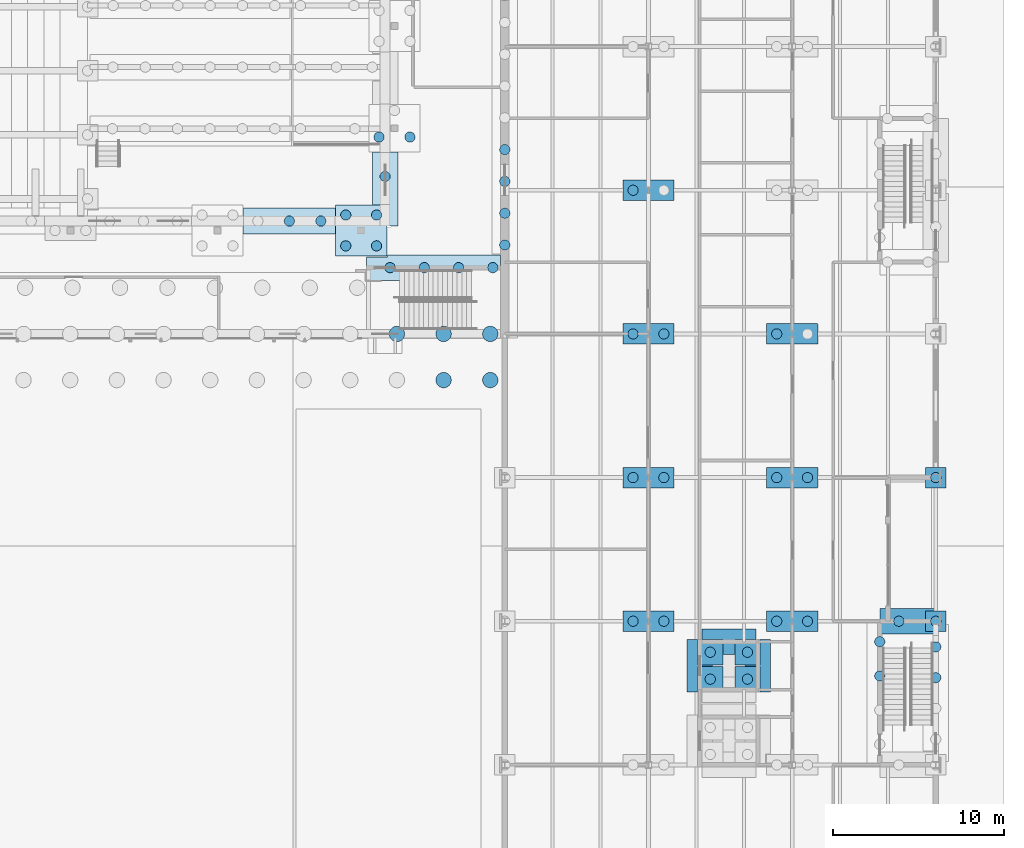
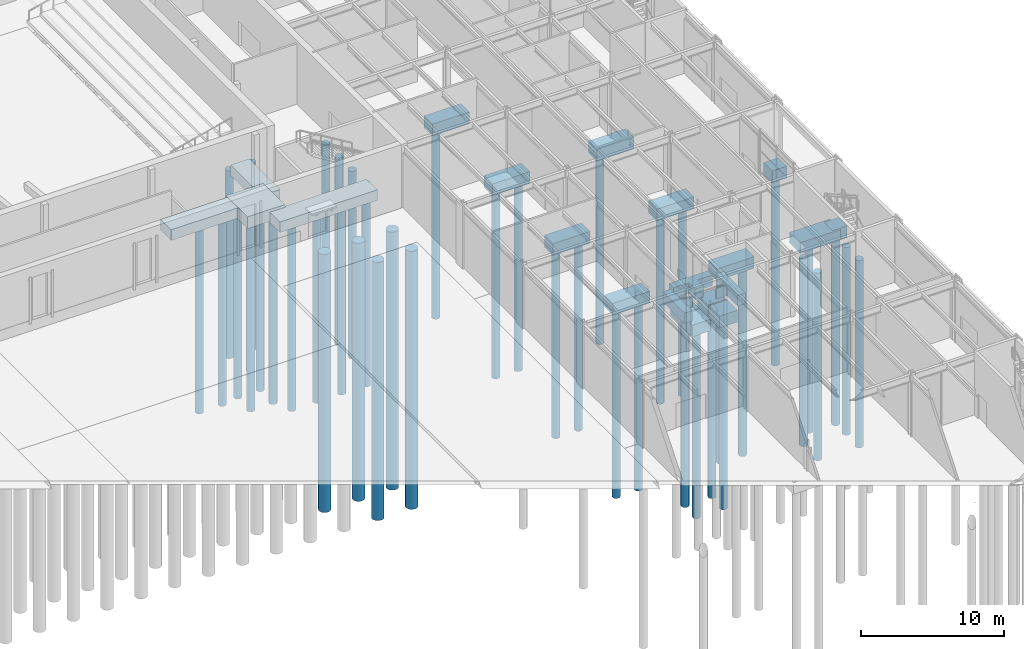
# One storey, part 8 of 127: 45 piles, 21 footings.
"""IFC4 building model written with IfcOpenShell, lengths in metres."""

from ifc_helpers import new_model, si_unit, direction, frame, origin, origin_2d, place, context, subcontext, project, spatial, polyline, circle, outline, extrude, material, layer, layer_set, material_profile, profile_set, type_object, element, save


model = new_model("IFC4")

# Units and contexts
model_context = context("Model", 3, precision=1e-05, world=origin(), true_north=direction((0.0, 1.0)))
body_context = subcontext(model_context, "Body", "Model", "MODEL_VIEW")
ifc_project = project(units=[si_unit("LENGTHUNIT", "METRE"), si_unit("AREAUNIT", "SQUARE_METRE"), si_unit("VOLUMEUNIT", "CUBIC_METRE"), si_unit("PLANEANGLEUNIT", "RADIAN"), si_unit("MASSUNIT", "GRAM", prefix="KILO")], contexts=[model_context])

# Site, building, storey
site_placement = place(None, origin())
site = spatial("IfcSite", under=ifc_project, at=site_placement, CompositionType="ELEMENT")
building_placement = place(site_placement, origin())
building = spatial("IfcBuilding", under=site, at=building_placement, Name="Ljudholm Concert House", CompositionType="ELEMENT")
storey_placement = place(building_placement, origin())
storey = spatial("IfcBuildingStorey", under=building, at=storey_placement, Name="L00", CompositionType="ELEMENT", Elevation=0.0)

# Piles
ifc_material_1 = material(Name="Concrete 5,000 psi", Category="concrete")
ifc_material_profile_1 = material_profile(ifc_material_1, circle(Radius=0.300048828125, at=origin_2d()), Name="AUGER-CAST PILE D600")
ifc_profile_set_1 = profile_set([ifc_material_profile_1], Name="Concrete 5,000 psi")
pile_type_1 = type_object("IfcPileType", Name="AUGER-CAST PILE D600", PredefinedType="BORED", material=ifc_profile_set_1)
for number, where, z_axis, x_axis, name in (
    (1, (87.10009765625, 59.550048828125, -1.300048828125), (0.0, 0.0, -1.0), (1.0, 0.0, 0.0), "Pile D600"),
    (2, (88.89990234375, 59.550048828125, -1.300048828125), (0.0, 0.0, -1.0), (1.0, 0.0, 0.0), "Pile D600"),
    (3, (87.10009765625, 61.35009765625, -1.300048828125), (0.0, 0.0, -1.0), (1.0, 0.0, 0.0), "Pile D600"),
    (4, (88.89990234375, 61.35009765625, -1.300048828125), (0.0, 0.0, -1.0), (1.0, 0.0, 0.0), "Pile D600"),
    (5, (89.050048828125, 65.910400390625, -1.300048828125), (0.0, 0.0, -1.0), (1.0, 0.0, 0.0), "Pile D600"),
    (6, (90.85009765625, 65.910400390625, -1.300048828125), (0.0, 0.0, -1.0), (1.0, 0.0, 0.0), "Pile D600"),
    (7, (103.89990234375, 37.60009765625, -1.25), (0.0, 0.0, -1.0), (1.0, 0.0, 0.0), "Pile D600"),
    (8, (105.699951171875, 37.60009765625, -1.25), (0.0, 0.0, -1.0), (1.0, 0.0, 0.0), "Pile D600"),
    (9, (103.89990234375, 46.0, -1.25), (0.0, 0.0, -1.0), (1.0, 0.0, 0.0), "Pile D600"),
    (10, (105.699951171875, 46.0, -1.25), (0.0, 0.0, -1.0), (1.0, 0.0, 0.0), "Pile D600"),
    (11, (103.89990234375, 54.39990234375, -1.25), (0.0, 0.0, -1.0), (1.0, 0.0, 0.0), "Pile D600"),
    (12, (105.699951171875, 54.39990234375, -1.25), (0.0, 0.0, -1.0), (1.0, 0.0, 0.0), "Pile D600"),
    (13, (103.89990234375, 62.800048828125, -1.25), (0.0, 0.0, -1.0), (1.0, 0.0, 0.0), "Pile D600"),
    (14, (112.300048828125, 37.60009765625, -1.25), (0.0, 0.0, -1.0), (1.0, 0.0, 0.0), "Pile D600"),
    (15, (114.10009765625, 37.60009765625, -1.25), (0.0, 0.0, -1.0), (1.0, 0.0, 0.0), "Pile D600"),
    (16, (112.300048828125, 46.0, -1.25), (0.0, 0.0, -1.0), (1.0, 0.0, 0.0), "Pile D600"),
    (17, (114.10009765625, 46.0, -1.25), (0.0, 0.0, -1.0), (1.0, 0.0, 0.0), "Pile D600"),
    (18, (112.300048828125, 54.39990234375, -1.25), (0.0, 0.0, -1.0), (1.0, 0.0, 0.0), "Pile D600"),
    (19, (121.60009765625, 37.60009765625, -1.25), (0.0, 0.0, -1.0), (1.0, 0.0, 0.0), "Pile D600"),
    (20, (121.60009765625, 46.0, -1.25), (0.0, 0.0, -1.0), (1.0, 0.0, 0.0), "Pile D600"),
    (21, (108.41259765625, 34.21240234375, -2.5), (0.0, 0.0, -1.0), (1.0, 0.0, 0.0), "Pile D600"),
    (22, (110.58740234375, 34.21240234375, -2.5), (0.0, 0.0, -1.0), (1.0, 0.0, 0.0), "Pile D600"),
    (23, (108.41259765625, 35.78759765625, -2.5), (0.0, 0.0, -1.0), (1.0, 0.0, 0.0), "Pile D600"),
    (24, (110.58740234375, 35.78759765625, -2.5), (0.0, 0.0, -1.0), (1.0, 0.0, 0.0), "Pile D600"),
    (25, (119.4375, 37.60009765625, -1.14990234375), (0.0, 0.0, -1.0), (1.0, 0.0, 0.0), "Pile D600"),
    (26, (89.689453125, 58.27490234375, -1.39990234375), (0.0, 0.0, -1.0), (1.0, 0.0, 0.0), "Pile D600"),
    (27, (91.69287109375, 58.27490234375, -1.39990234375), (0.0, 0.0, -1.0), (1.0, 0.0, 0.0), "Pile D600"),
    (28, (93.696533203125, 58.27490234375, -1.39990234375), (0.0, 0.0, -1.0), (1.0, 0.0, 0.0), "Pile D600"),
    (29, (95.699951171875, 58.27490234375, -1.39990234375), (0.0, 0.0, -1.0), (1.0, 0.0, 0.0), "Pile D600"),
    (30, (83.800048828125, 61.0, -1.199951171875), (0.0, 0.0, -1.0), (1.0, 0.0, 0.0), "Pile D600"),
    (31, (85.6416015625, 61.0, -1.199951171875), (0.0, 0.0, -1.0), (1.0, 0.0, 0.0), "Pile D600"),
    (32, (118.324951171875, 34.39990234375, -1.14990234375), (0.0, 0.0, -1.0), (1.0, 0.0, 0.0), "Pile D600"),
    (33, (118.324951171875, 36.39990234375, -1.14990234375), (0.0, 0.0, -1.0), (1.0, 0.0, 0.0), "Pile D600"),
    (34, (121.60009765625, 34.300048828125, -1.14990234375), (0.0, 0.0, -1.0), (1.0, 0.0, 0.0), "Pile D600"),
    (35, (121.60009765625, 36.10009765625, -1.14990234375), (0.0, 0.0, -1.0), (1.0, 0.0, 0.0), "Pile D600"),
    (36, (89.39990234375, 63.608154296875, -1.199951171875), (0.0, 0.0, -1.0), (1.0, 0.0, 0.0), "Pile D600"),
    (37, (96.39990234375, 59.6015625, -1.199951171875), (0.0, 0.0, -1.0), (1.0, 0.0, 0.0), "Pile D600"),
    (38, (96.39990234375, 61.460205078125, -1.199951171875), (0.0, 0.0, -1.0), (1.0, 0.0, 0.0), "Pile D600"),
    (39, (96.39990234375, 63.31884765625, -1.199951171875), (0.0, 0.0, -1.0), (1.0, 0.0, 0.0), "Pile D600"),
    (40, (96.39990234375, 65.177490234375, -1.199951171875), (0.0, 0.0, -1.0), (1.0, 0.0, 0.0), "Pile D600"),
):
    element("IfcPile", number, at=place(storey_placement, frame(where, z_axis=z_axis, x_axis=x_axis)), inside=storey, type_object=pile_type_1, Name=name, PredefinedType="BORED", context=body_context, shape_type="SweptSolid", body=[
        extrude(circle(Radius=0.300048828125, at=origin_2d()), origin(), (0.0, 0.0, 1.0), 16.0),
    ])
ifc_material_2 = material(Name="Concrete 5,000 psi", Category="concrete")
ifc_material_profile_2 = material_profile(ifc_material_2, circle(Radius=0.449951171875, at=origin_2d()), Name="AUGER-CAST PILE D900")
ifc_profile_set_2 = profile_set([ifc_material_profile_2], Name="Concrete 5,000 psi")
pile_type_2 = type_object("IfcPileType", Name="AUGER-CAST PILE D900", PredefinedType="BORED", material=ifc_profile_set_2)
for number, where, z_axis, x_axis, name in (
    (41, (92.82080078125, 51.699951171875, -1.699951171875), (0.0, 0.0, -1.0), (1.0, 0.0, 0.0), "Pile D900"),
    (42, (95.550048828125, 51.699951171875, -1.699951171875), (0.0, 0.0, -1.0), (1.0, 0.0, 0.0), "Pile D900"),
    (43, (90.091552734375, 54.39990234375, -1.699951171875), (0.0, 0.0, -1.0), (1.0, 0.0, 0.0), "Pile D900"),
    (44, (92.82080078125, 54.39990234375, -1.699951171875), (0.0, 0.0, -1.0), (1.0, 0.0, 0.0), "Pile D900"),
    (45, (95.550048828125, 54.39990234375, -1.699951171875), (0.0, 0.0, -1.0), (1.0, 0.0, 0.0), "Pile D900"),
):
    element("IfcPile", number, at=place(storey_placement, frame(where, z_axis=z_axis, x_axis=x_axis)), inside=storey, type_object=pile_type_2, Name=name, PredefinedType="BORED", context=body_context, shape_type="SweptSolid", body=[
        extrude(circle(Radius=0.449951171875, at=origin_2d()), origin(), (0.0, 0.0, 1.0), 22.0),
    ])

# Footings
ifc_material_3 = material(Name="Concrete 5,000 psi", Category="concrete")
ifc_layer_1 = layer(ifc_material_3, 1.0)
ifc_layer_set_1 = layer_set([ifc_layer_1], Name="Concrete 5,000 psi")
footing_type_1 = type_object("IfcFootingType", Name="RC PILE CAP 1200x1200x1000", PredefinedType="PILE_CAP", material=ifc_layer_set_1)
footing_1_placement = place(storey_placement, frame((0.0, 0.0, -1.25)))
element("IfcFooting", 46, at=footing_1_placement, inside=storey, type_object=footing_type_1, Name="Pile cap", PredefinedType="PILE_CAP", context=body_context, shape_type="SweptSolid", body=[
    extrude(outline(polyline([(121.010009765625, 37.0), (122.18994140625, 37.0), (122.19384765625, 37.000732421875), (122.197021484375, 37.0029296875), (122.19921875, 37.006103515625), (122.199951171875, 37.010009765625), (122.199951171875, 38.18994140625), (122.19921875, 38.19384765625), (122.197021484375, 38.197021484375), (122.19384765625, 38.19921875), (122.18994140625, 38.199951171875), (121.010009765625, 38.199951171875), (121.006103515625, 38.19921875), (121.0029296875, 38.197021484375), (121.000732421875, 38.19384765625), (121.0, 38.18994140625), (121.0, 37.010009765625), (121.000732421875, 37.006103515625), (121.0029296875, 37.0029296875), (121.006103515625, 37.000732421875), (121.010009765625, 37.0)])), origin(), (0.0, 0.0, 1.0), 1.0),
])
footing_2_placement = place(storey_placement, frame((0.0, 0.0, -1.25)))
element("IfcFooting", 47, at=footing_2_placement, inside=storey, type_object=footing_type_1, Name="Pile cap", PredefinedType="PILE_CAP", context=body_context, shape_type="SweptSolid", body=[
    extrude(outline(polyline([(121.010009765625, 45.39990234375), (122.18994140625, 45.39990234375), (122.19384765625, 45.40087890625), (122.197021484375, 45.40283203125), (122.19921875, 45.40625), (122.199951171875, 45.409912109375), (122.199951171875, 46.590087890625), (122.19921875, 46.59375), (122.197021484375, 46.59716796875), (122.19384765625, 46.59912109375), (122.18994140625, 46.60009765625), (121.010009765625, 46.60009765625), (121.006103515625, 46.59912109375), (121.0029296875, 46.59716796875), (121.000732421875, 46.59375), (121.0, 46.590087890625), (121.0, 45.409912109375), (121.000732421875, 45.40625), (121.0029296875, 45.40283203125), (121.006103515625, 45.40087890625), (121.010009765625, 45.39990234375)])), origin(), (0.0, 0.0, 1.0), 1.0),
])
ifc_material_4 = material(Name="Concrete 5,000 psi", Category="concrete")
ifc_layer_2 = layer(ifc_material_4, 1.0)
ifc_layer_set_2 = layer_set([ifc_layer_2], Name="Concrete 5,000 psi")
footing_type_2 = type_object("IfcFootingType", Name="RC PILE CAP 1500x1500x1000", PredefinedType="PILE_CAP", material=ifc_layer_set_2)
footing_3_placement = place(storey_placement, frame((0.0, 0.0, -2.5)))
element("IfcFooting", 48, at=footing_3_placement, inside=storey, type_object=footing_type_2, Name="Pile cap", PredefinedType="PILE_CAP", context=body_context, shape_type="SweptSolid", body=[
    extrude(outline(polyline([(107.68505859375, 33.47509765625), (109.139892578125, 33.47509765625), (109.143798828125, 33.475830078125), (109.14697265625, 33.47802734375), (109.149169921875, 33.481201171875), (109.14990234375, 33.485107421875), (109.14990234375, 34.93994140625), (109.149169921875, 34.94384765625), (109.14697265625, 34.947021484375), (109.143798828125, 34.94921875), (109.139892578125, 34.949951171875), (107.68505859375, 34.949951171875), (107.68115234375, 34.94921875), (107.677978515625, 34.947021484375), (107.67578125, 34.94384765625), (107.675048828125, 34.93994140625), (107.675048828125, 33.485107421875), (107.67578125, 33.481201171875), (107.677978515625, 33.47802734375), (107.68115234375, 33.475830078125), (107.68505859375, 33.47509765625)])), origin(), (0.0, 0.0, 1.0), 1.0),
])
footing_4_placement = place(storey_placement, frame((0.0, 0.0, -2.5)))
element("IfcFooting", 49, at=footing_4_placement, inside=storey, type_object=footing_type_2, Name="Pile cap", PredefinedType="PILE_CAP", context=body_context, shape_type="SweptSolid", body=[
    extrude(outline(polyline([(109.860107421875, 33.47509765625), (111.31494140625, 33.47509765625), (111.31884765625, 33.475830078125), (111.322021484375, 33.47802734375), (111.32421875, 33.481201171875), (111.324951171875, 33.485107421875), (111.324951171875, 34.93994140625), (111.32421875, 34.94384765625), (111.322021484375, 34.947021484375), (111.31884765625, 34.94921875), (111.31494140625, 34.949951171875), (109.860107421875, 34.949951171875), (109.856201171875, 34.94921875), (109.85302734375, 34.947021484375), (109.850830078125, 34.94384765625), (109.85009765625, 34.93994140625), (109.85009765625, 33.485107421875), (109.850830078125, 33.481201171875), (109.85302734375, 33.47802734375), (109.856201171875, 33.475830078125), (109.860107421875, 33.47509765625)])), origin(), (0.0, 0.0, 1.0), 1.0),
])
footing_5_placement = place(storey_placement, frame((0.0, 0.0, -2.5)))
element("IfcFooting", 50, at=footing_5_placement, inside=storey, type_object=footing_type_2, Name="Pile cap", PredefinedType="PILE_CAP", context=body_context, shape_type="SweptSolid", body=[
    extrude(outline(polyline([(107.68505859375, 35.050048828125), (109.139892578125, 35.050048828125), (109.143798828125, 35.05078125), (109.14697265625, 35.052978515625), (109.149169921875, 35.05615234375), (109.14990234375, 35.06005859375), (109.14990234375, 36.514892578125), (109.149169921875, 36.518798828125), (109.14697265625, 36.52197265625), (109.143798828125, 36.524169921875), (109.139892578125, 36.52490234375), (107.68505859375, 36.52490234375), (107.68115234375, 36.524169921875), (107.677978515625, 36.52197265625), (107.67578125, 36.518798828125), (107.675048828125, 36.514892578125), (107.675048828125, 35.06005859375), (107.67578125, 35.05615234375), (107.677978515625, 35.052978515625), (107.68115234375, 35.05078125), (107.68505859375, 35.050048828125)])), origin(), (0.0, 0.0, 1.0), 1.0),
])
footing_6_placement = place(storey_placement, frame((0.0, 0.0, -2.5)))
element("IfcFooting", 51, at=footing_6_placement, inside=storey, type_object=footing_type_2, Name="Pile cap", PredefinedType="PILE_CAP", context=body_context, shape_type="SweptSolid", body=[
    extrude(outline(polyline([(109.860107421875, 35.050048828125), (111.31494140625, 35.050048828125), (111.31884765625, 35.05078125), (111.322021484375, 35.052978515625), (111.32421875, 35.05615234375), (111.324951171875, 35.06005859375), (111.324951171875, 36.514892578125), (111.32421875, 36.518798828125), (111.322021484375, 36.52197265625), (111.31884765625, 36.524169921875), (111.31494140625, 36.52490234375), (109.860107421875, 36.52490234375), (109.856201171875, 36.524169921875), (109.85302734375, 36.52197265625), (109.850830078125, 36.518798828125), (109.85009765625, 36.514892578125), (109.85009765625, 35.06005859375), (109.850830078125, 35.05615234375), (109.85302734375, 35.052978515625), (109.856201171875, 35.05078125), (109.860107421875, 35.050048828125)])), origin(), (0.0, 0.0, 1.0), 1.0),
])
ifc_material_5 = material(Name="Concrete 5,000 psi", Category="concrete")
ifc_layer_3 = layer(ifc_material_5, 1.0)
ifc_layer_set_3 = layer_set([ifc_layer_3], Name="Concrete 5,000 psi")
footing_type_3 = type_object("IfcFootingType", Name="RC PILE CAP 3000x1200x1000", PredefinedType="PILE_CAP", material=ifc_layer_set_3)
footing_7_placement = place(storey_placement, frame((0.0, 0.0, -1.25)))
element("IfcFooting", 52, at=footing_7_placement, inside=storey, type_object=footing_type_3, Name="Pile cap", PredefinedType="PILE_CAP", context=body_context, shape_type="SweptSolid", body=[
    extrude(outline(polyline([(103.31005859375, 37.0), (106.2900390625, 37.0), (106.2939453125, 37.000732421875), (106.29833984375, 37.00439453125), (106.300048828125, 37.010009765625), (106.300048828125, 38.18994140625), (106.29931640625, 38.19384765625), (106.295654296875, 38.1982421875), (106.2900390625, 38.199951171875), (103.31005859375, 38.199951171875), (103.30615234375, 38.19921875), (103.3017578125, 38.195556640625), (103.300048828125, 38.18994140625), (103.300048828125, 37.010009765625), (103.30078125, 37.006103515625), (103.302978515625, 37.0029296875), (103.30615234375, 37.000732421875), (103.31005859375, 37.0)])), origin(), (0.0, 0.0, 1.0), 1.0),
])
footing_8_placement = place(storey_placement, frame((0.0, 0.0, -1.25)))
element("IfcFooting", 53, at=footing_8_placement, inside=storey, type_object=footing_type_3, Name="Pile cap", PredefinedType="PILE_CAP", context=body_context, shape_type="SweptSolid", body=[
    extrude(outline(polyline([(103.31005859375, 45.39990234375), (106.2900390625, 45.39990234375), (106.2939453125, 45.40087890625), (106.29833984375, 45.404541015625), (106.300048828125, 45.409912109375), (106.300048828125, 46.590087890625), (106.29931640625, 46.59375), (106.295654296875, 46.598388671875), (106.2900390625, 46.60009765625), (103.31005859375, 46.60009765625), (103.30615234375, 46.59912109375), (103.3017578125, 46.595458984375), (103.300048828125, 46.590087890625), (103.300048828125, 45.409912109375), (103.30078125, 45.40625), (103.302978515625, 45.40283203125), (103.30615234375, 45.40087890625), (103.31005859375, 45.39990234375)])), origin(), (0.0, 0.0, 1.0), 1.0),
])
footing_9_placement = place(storey_placement, frame((0.0, 0.0, -1.25)))
element("IfcFooting", 54, at=footing_9_placement, inside=storey, type_object=footing_type_3, Name="Pile cap", PredefinedType="PILE_CAP", context=body_context, shape_type="SweptSolid", body=[
    extrude(outline(polyline([(103.31005859375, 53.800048828125), (106.2900390625, 53.800048828125), (106.2939453125, 53.80078125), (106.29833984375, 53.804443359375), (106.300048828125, 53.81005859375), (106.300048828125, 54.989990234375), (106.29931640625, 54.993896484375), (106.295654296875, 54.998291015625), (106.2900390625, 55.0), (103.31005859375, 55.0), (103.30615234375, 54.999267578125), (103.3017578125, 54.99560546875), (103.300048828125, 54.989990234375), (103.300048828125, 53.81005859375), (103.30078125, 53.80615234375), (103.302978515625, 53.802978515625), (103.30615234375, 53.80078125), (103.31005859375, 53.800048828125)])), origin(), (0.0, 0.0, 1.0), 1.0),
])
footing_10_placement = place(storey_placement, frame((0.0, 0.0, -1.25)))
element("IfcFooting", 55, at=footing_10_placement, inside=storey, type_object=footing_type_3, Name="Pile cap", PredefinedType="PILE_CAP", context=body_context, shape_type="SweptSolid", body=[
    extrude(outline(polyline([(103.31005859375, 62.199951171875), (106.2900390625, 62.199951171875), (106.2939453125, 62.20068359375), (106.29833984375, 62.204345703125), (106.300048828125, 62.2099609375), (106.300048828125, 63.389892578125), (106.29931640625, 63.393798828125), (106.295654296875, 63.398193359375), (106.2900390625, 63.39990234375), (103.31005859375, 63.39990234375), (103.30615234375, 63.399169921875), (103.3017578125, 63.3955078125), (103.300048828125, 63.389892578125), (103.300048828125, 62.2099609375), (103.30078125, 62.2060546875), (103.302978515625, 62.202880859375), (103.30615234375, 62.20068359375), (103.31005859375, 62.199951171875)])), origin(), (0.0, 0.0, 1.0), 1.0),
])
footing_11_placement = place(storey_placement, frame((0.0, 0.0, -1.25)))
element("IfcFooting", 56, at=footing_11_placement, inside=storey, type_object=footing_type_3, Name="Pile cap", PredefinedType="PILE_CAP", context=body_context, shape_type="SweptSolid", body=[
    extrude(outline(polyline([(111.7099609375, 37.0), (114.68994140625, 37.0), (114.69384765625, 37.000732421875), (114.6982421875, 37.00439453125), (114.699951171875, 37.010009765625), (114.699951171875, 38.18994140625), (114.69921875, 38.19384765625), (114.695556640625, 38.1982421875), (114.68994140625, 38.199951171875), (111.7099609375, 38.199951171875), (111.7060546875, 38.19921875), (111.70166015625, 38.195556640625), (111.699951171875, 38.18994140625), (111.699951171875, 37.010009765625), (111.70068359375, 37.006103515625), (111.702880859375, 37.0029296875), (111.7060546875, 37.000732421875), (111.7099609375, 37.0)])), origin(), (0.0, 0.0, 1.0), 1.0),
])
footing_12_placement = place(storey_placement, frame((0.0, 0.0, -1.25)))
element("IfcFooting", 57, at=footing_12_placement, inside=storey, type_object=footing_type_3, Name="Pile cap", PredefinedType="PILE_CAP", context=body_context, shape_type="SweptSolid", body=[
    extrude(outline(polyline([(111.7099609375, 45.39990234375), (114.68994140625, 45.39990234375), (114.69384765625, 45.40087890625), (114.6982421875, 45.404541015625), (114.699951171875, 45.409912109375), (114.699951171875, 46.590087890625), (114.69921875, 46.59375), (114.695556640625, 46.598388671875), (114.68994140625, 46.60009765625), (111.7099609375, 46.60009765625), (111.7060546875, 46.59912109375), (111.70166015625, 46.595458984375), (111.699951171875, 46.590087890625), (111.699951171875, 45.409912109375), (111.70068359375, 45.40625), (111.702880859375, 45.40283203125), (111.7060546875, 45.40087890625), (111.7099609375, 45.39990234375)])), origin(), (0.0, 0.0, 1.0), 1.0),
])
footing_13_placement = place(storey_placement, frame((0.0, 0.0, -1.25)))
element("IfcFooting", 58, at=footing_13_placement, inside=storey, type_object=footing_type_3, Name="Pile cap", PredefinedType="PILE_CAP", context=body_context, shape_type="SweptSolid", body=[
    extrude(outline(polyline([(111.7099609375, 53.800048828125), (114.68994140625, 53.800048828125), (114.69384765625, 53.80078125), (114.6982421875, 53.804443359375), (114.699951171875, 53.81005859375), (114.699951171875, 54.989990234375), (114.69921875, 54.993896484375), (114.695556640625, 54.998291015625), (114.68994140625, 55.0), (111.7099609375, 55.0), (111.7060546875, 54.999267578125), (111.70166015625, 54.99560546875), (111.699951171875, 54.989990234375), (111.699951171875, 53.81005859375), (111.70068359375, 53.80615234375), (111.702880859375, 53.802978515625), (111.7060546875, 53.80078125), (111.7099609375, 53.800048828125)])), origin(), (0.0, 0.0, 1.0), 1.0),
])
ifc_material_6 = material(Name="Concrete 5,000 psi", Category="concrete")
ifc_layer_4 = layer(ifc_material_6, 1.0)
ifc_layer_set_4 = layer_set([ifc_layer_4], Name="Concrete 5,000 psi")
footing_type_4 = type_object("IfcFootingType", Name="RC PILE CAP 3000x3000x1000", PredefinedType="PILE_CAP", material=ifc_layer_set_4)
footing_14_placement = place(storey_placement, frame((0.0, 0.0, -1.300048828125)))
element("IfcFooting", 59, at=footing_14_placement, inside=storey, type_object=footing_type_4, Name="Pile cap", PredefinedType="PILE_CAP", context=body_context, shape_type="SweptSolid", body=[
    extrude(outline(polyline([(86.510009765625, 58.949951171875), (89.489990234375, 58.949951171875), (89.493896484375, 58.95068359375), (89.4970703125, 58.952880859375), (89.499267578125, 58.9560546875), (89.5, 58.9599609375), (89.5, 61.93994140625), (89.499267578125, 61.94384765625), (89.4970703125, 61.947021484375), (89.493896484375, 61.94921875), (89.489990234375, 61.949951171875), (86.510009765625, 61.949951171875), (86.506103515625, 61.94921875), (86.5029296875, 61.947021484375), (86.500732421875, 61.94384765625), (86.5, 61.93994140625), (86.5, 58.9599609375), (86.500732421875, 58.9560546875), (86.5029296875, 58.952880859375), (86.506103515625, 58.95068359375), (86.510009765625, 58.949951171875)])), origin(), (0.0, 0.0, 1.0), 1.0),
])
ifc_material_7 = material(Name="Concrete 5,000 psi", Category="concrete")
ifc_layer_5 = layer(ifc_material_7, 0.89990234375)
ifc_layer_set_5 = layer_set([ifc_layer_5], Name="Concrete 5,000 psi")
footing_type_5 = type_object("IfcFootingType", Name="RC STRIP FOOTING 1500x900", PredefinedType="STRIP_FOOTING", material=ifc_layer_set_5)
footing_15_placement = place(storey_placement, frame((0.0, 0.0, -1.14990234375)))
element("IfcFooting", 60, at=footing_15_placement, inside=storey, type_object=footing_type_5, Name="Strip footing", PredefinedType="STRIP_FOOTING", context=body_context, shape_type="SweptSolid", body=[
    extrude(outline(polyline([(118.3349609375, 36.85009765625), (121.581787109375, 36.85009765625), (121.585693359375, 36.850830078125), (121.590087890625, 36.8544921875), (121.591796875, 36.860107421875), (121.591796875, 36.989990234375), (121.590087890625, 36.99560546875), (121.58740234375, 36.998291015625), (121.584716796875, 36.99951171875), (121.01025390625, 37.0), (121.00439453125, 37.001708984375), (121.000732421875, 37.006103515625), (121.0, 37.01025390625), (121.0, 38.189697265625), (121.000732421875, 38.19384765625), (121.0029296875, 38.197021484375), (121.006103515625, 38.19921875), (121.01025390625, 38.199951171875), (121.584716796875, 38.200439453125), (121.58740234375, 38.20166015625), (121.590087890625, 38.204345703125), (121.591796875, 38.2099609375), (121.591796875, 38.340087890625), (121.591064453125, 38.34375), (121.58740234375, 38.348388671875), (121.581787109375, 38.35009765625), (118.3349609375, 38.35009765625), (118.3310546875, 38.34912109375), (118.32666015625, 38.345458984375), (118.324951171875, 38.340087890625), (118.324951171875, 36.860107421875), (118.32568359375, 36.856201171875), (118.327880859375, 36.85302734375), (118.3310546875, 36.850830078125), (118.3349609375, 36.85009765625)])), origin(), (0.0, 0.0, 1.0), 0.89990234375),
])
footing_16_placement = place(storey_placement, frame((0.0, 0.0, -1.14990234375)))
element("IfcFooting", 61, at=footing_16_placement, inside=storey, type_object=footing_type_5, Name="Strip footing", PredefinedType="STRIP_FOOTING", context=body_context, shape_type="SweptSolid", body=[
    extrude(outline(polyline([(107.925048828125, 37.139892578125), (107.925048828125, 36.534912109375), (107.92626953125, 36.5302734375), (107.93017578125, 36.526123046875), (107.93505859375, 36.52490234375), (109.1396484375, 36.52490234375), (109.143798828125, 36.524169921875), (109.147705078125, 36.521240234375), (109.149658203125, 36.517822265625), (109.14990234375, 36.5146484375), (109.14990234375, 35.659912109375), (109.15087890625, 35.65625), (109.15234375, 35.653564453125), (109.154541015625, 35.651611328125), (109.157958984375, 35.650146484375), (109.840087890625, 35.64990234375), (109.8447265625, 35.651123046875), (109.84765625, 35.653564453125), (109.84912109375, 35.65625), (109.85009765625, 35.659912109375), (109.85009765625, 36.5146484375), (109.851806640625, 36.5205078125), (109.856201171875, 36.524169921875), (109.8603515625, 36.52490234375), (111.06494140625, 36.52490234375), (111.06787109375, 36.525390625), (111.0712890625, 36.52734375), (111.07373046875, 36.5302734375), (111.07470703125, 36.532958984375), (111.074951171875, 37.139892578125), (111.07421875, 37.143798828125), (111.07275390625, 37.146240234375), (111.070556640625, 37.148193359375), (111.06689453125, 37.14990234375), (107.93505859375, 37.14990234375), (107.93115234375, 37.149169921875), (107.927978515625, 37.14697265625), (107.92578125, 37.143798828125), (107.925048828125, 37.139892578125)])), origin(), (0.0, 0.0, 1.0), 0.89990234375),
])
footing_17_placement = place(storey_placement, frame((0.0, 0.0, -1.39990234375)))
element("IfcFooting", 62, at=footing_17_placement, inside=storey, type_object=footing_type_5, Name="Strip footing", PredefinedType="STRIP_FOOTING", context=body_context, shape_type="SweptSolid", body=[
    extrude(outline(polyline([(88.31005859375, 57.52490234375), (96.141845703125, 57.525146484375), (96.1455078125, 57.526611328125), (96.147705078125, 57.528564453125), (96.149169921875, 57.53125), (96.14990234375, 57.534912109375), (96.14990234375, 59.016845703125), (96.14892578125, 59.019775390625), (96.146240234375, 59.022705078125), (96.142822265625, 59.024658203125), (96.139892578125, 59.02490234375), (89.56005859375, 59.02490234375), (89.55712890625, 59.024658203125), (89.5537109375, 59.022705078125), (89.55126953125, 59.019775390625), (89.55029296875, 59.016845703125), (89.550048828125, 58.908935546875), (89.54931640625, 58.90625), (89.547119140625, 58.90283203125), (89.544677734375, 58.901123046875), (89.541015625, 58.900146484375), (88.30810546875, 58.89990234375), (88.304443359375, 58.898193359375), (88.30224609375, 58.896240234375), (88.30078125, 58.893798828125), (88.300048828125, 58.889892578125), (88.300048828125, 57.534912109375), (88.30078125, 57.53125), (88.302978515625, 57.52783203125), (88.30615234375, 57.52587890625), (88.31005859375, 57.52490234375)])), origin(), (0.0, 0.0, 1.0), 0.89990234375),
])
footing_18_placement = place(storey_placement, frame((0.0, 0.0, -1.199951171875)))
element("IfcFooting", 63, at=footing_18_placement, inside=storey, type_object=footing_type_5, Name="Strip footing", PredefinedType="STRIP_FOOTING", context=body_context, shape_type="SweptSolid", body=[
    extrude(outline(polyline([(81.110107421875, 60.25), (86.492919921875, 60.25048828125), (86.49560546875, 60.251708984375), (86.498291015625, 60.25439453125), (86.5, 60.260009765625), (86.49951171875, 61.742919921875), (86.498291015625, 61.74560546875), (86.49560546875, 61.748291015625), (86.489990234375, 61.75), (81.107177734375, 61.74951171875), (81.1044921875, 61.748291015625), (81.101806640625, 61.74560546875), (81.10009765625, 61.739990234375), (81.10009765625, 60.260009765625), (81.100830078125, 60.256103515625), (81.10302734375, 60.2529296875), (81.106201171875, 60.250732421875), (81.110107421875, 60.25)])), origin(), (0.0, 0.0, 1.0), 0.89990234375),
])
footing_19_placement = place(storey_placement, frame((0.0, 0.0, -1.14990234375)))
element("IfcFooting", 64, at=footing_19_placement, inside=storey, type_object=footing_type_5, Name="Strip footing", PredefinedType="STRIP_FOOTING", context=body_context, shape_type="SweptSolid", body=[
    extrude(outline(polyline([(110.4599609375, 34.949951171875), (111.314697265625, 34.949951171875), (111.31884765625, 34.94921875), (111.322021484375, 34.947021484375), (111.32421875, 34.94384765625), (111.324951171875, 34.939697265625), (111.324951171875, 33.485107421875), (111.32568359375, 33.481201171875), (111.329345703125, 33.476806640625), (111.3349609375, 33.47509765625), (111.93994140625, 33.47509765625), (111.94384765625, 33.475830078125), (111.947021484375, 33.47802734375), (111.94921875, 33.481201171875), (111.949951171875, 33.485107421875), (111.949951171875, 36.514892578125), (111.94921875, 36.518798828125), (111.947021484375, 36.52197265625), (111.94384765625, 36.524169921875), (111.93994140625, 36.52490234375), (111.3349609375, 36.52490234375), (111.329345703125, 36.523193359375), (111.32568359375, 36.518798828125), (111.324951171875, 36.514892578125), (111.324951171875, 35.060302734375), (111.32421875, 35.05615234375), (111.322021484375, 35.052978515625), (111.31884765625, 35.05078125), (111.314697265625, 35.050048828125), (110.458984375, 35.050048828125), (110.455322265625, 35.048828125), (110.452880859375, 35.047119140625), (110.45068359375, 35.0439453125), (110.449951171875, 35.041015625), (110.449951171875, 34.9599609375), (110.45068359375, 34.9560546875), (110.452880859375, 34.952880859375), (110.4560546875, 34.95068359375), (110.4599609375, 34.949951171875)])), origin(), (0.0, 0.0, 1.0), 0.89990234375),
])
footing_20_placement = place(storey_placement, frame((0.0, 0.0, -1.14990234375)))
element("IfcFooting", 65, at=footing_20_placement, inside=storey, type_object=footing_type_5, Name="Strip footing", PredefinedType="STRIP_FOOTING", context=body_context, shape_type="SweptSolid", body=[
    extrude(outline(polyline([(107.06005859375, 33.47509765625), (107.6650390625, 33.47509765625), (107.670654296875, 33.476806640625), (107.67431640625, 33.481201171875), (107.675048828125, 33.485107421875), (107.675048828125, 34.939697265625), (107.67578125, 34.94384765625), (107.677978515625, 34.947021484375), (107.68115234375, 34.94921875), (107.685302734375, 34.949951171875), (108.5400390625, 34.949951171875), (108.54296875, 34.950439453125), (108.54638671875, 34.9521484375), (108.548828125, 34.955322265625), (108.5498046875, 34.9580078125), (108.550048828125, 35.041015625), (108.54931640625, 35.0439453125), (108.547119140625, 35.047119140625), (108.544677734375, 35.048828125), (108.541015625, 35.050048828125), (107.685302734375, 35.050048828125), (107.68017578125, 35.05126953125), (107.67626953125, 35.05517578125), (107.675048828125, 35.060302734375), (107.675048828125, 36.514892578125), (107.67431640625, 36.518798828125), (107.6728515625, 36.521240234375), (107.670654296875, 36.523193359375), (107.6669921875, 36.52490234375), (107.06005859375, 36.52490234375), (107.05712890625, 36.524658203125), (107.0537109375, 36.522705078125), (107.05126953125, 36.519775390625), (107.05029296875, 36.516845703125), (107.050048828125, 33.485107421875), (107.05078125, 33.481201171875), (107.052978515625, 33.47802734375), (107.05615234375, 33.475830078125), (107.06005859375, 33.47509765625)])), origin(), (0.0, 0.0, 1.0), 0.89990234375),
])
footing_21_placement = place(storey_placement, frame((0.0, 0.0, -1.199951171875)))
element("IfcFooting", 66, at=footing_21_placement, inside=storey, type_object=footing_type_5, Name="Strip footing", PredefinedType="STRIP_FOOTING", context=body_context, shape_type="SweptSolid", body=[
    extrude(outline(polyline([(88.659912109375, 61.949951171875), (89.48974609375, 61.949951171875), (89.492919921875, 61.949462890625), (89.496337890625, 61.94775390625), (89.499267578125, 61.94384765625), (89.5, 61.939697265625), (89.5, 60.7099609375), (89.501220703125, 60.705322265625), (89.50439453125, 60.70166015625), (89.510009765625, 60.699951171875), (90.139892578125, 60.699951171875), (90.144775390625, 60.701171875), (90.147705078125, 60.70361328125), (90.149169921875, 60.7060546875), (90.14990234375, 60.7099609375), (90.14990234375, 65.02001953125), (90.14892578125, 65.024658203125), (90.144775390625, 65.02880859375), (90.139892578125, 65.030029296875), (88.659912109375, 65.030029296875), (88.6552734375, 65.02880859375), (88.651123046875, 65.024658203125), (88.64990234375, 65.02001953125), (88.64990234375, 61.9599609375), (88.65087890625, 61.9560546875), (88.65283203125, 61.952880859375), (88.65625, 61.95068359375), (88.659912109375, 61.949951171875)])), origin(), (0.0, 0.0, 1.0), 0.89990234375),
])

save(model, "model.ifc")
